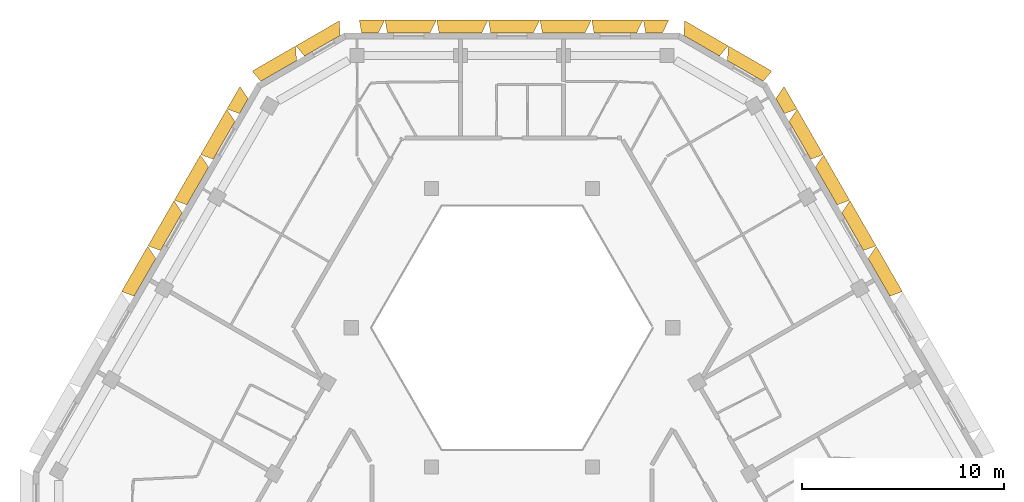
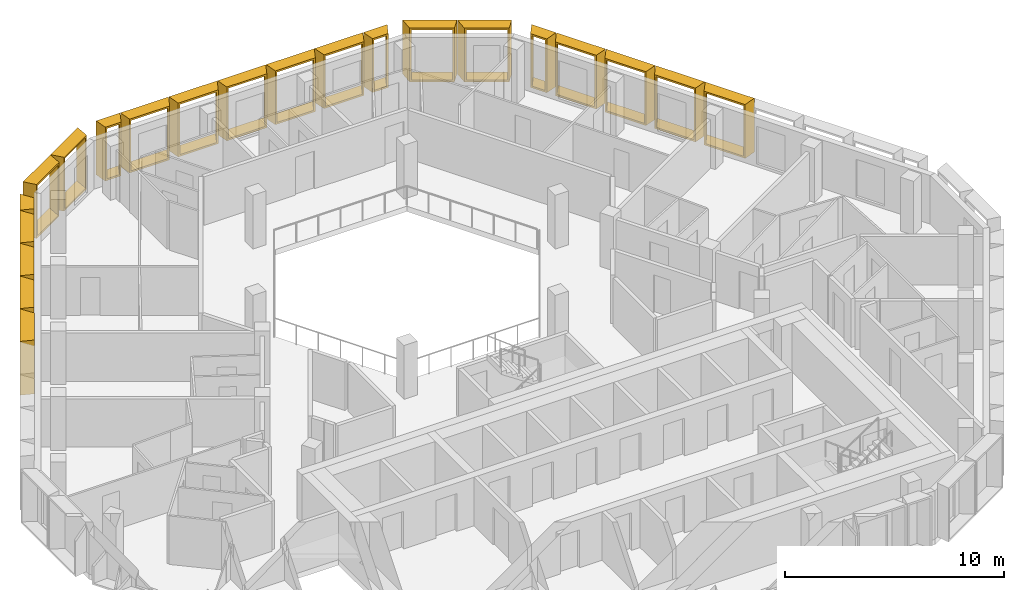
# One storey, part 15 of 15: 21 shading devices.
"""IFC4 building model written with IfcOpenShell, lengths in metres."""

import ifcopenshell
import ifcopenshell.guid

model = None  # the IFC model being written
_history = None  # IfcOwnerHistory: only IFC2X3 demands one
_inside = {}  # id of a spatial element -> (the spatial element, [elements in it])
_under = {}  # id of a project, library or spatial element -> (it, [spatial elements below it])
_declared = {}  # id of a project -> (the project, [libraries it declares])
_typed = {}  # id of a type object -> (the type object, [elements of that type])
_made_of = {}  # id of a material, layer set ... -> (it, [elements and type objects made of it])


def new_model(schema):
    """Start an empty IFC model of exactly this schema.

    Asked for "IFC4X3", IfcOpenShell would pick the latest addendum, in which some entities
    have other attributes; the version numbers below select the first issue.
    IFC2X3 requires an IfcOwnerHistory on every rooted entity: one is made here for all.
    """
    global model, _history
    if schema == "IFC4X3":
        model = ifcopenshell.file(schema_version=(4, 3, 0, 0))
    else:
        model = ifcopenshell.file(schema=schema)
    _inside.clear()
    _under.clear()
    _declared.clear()
    _typed.clear()
    _made_of.clear()
    _history = None
    if model.schema == "IFC2X3":
        org = make("IfcOrganization", Name="unknown")
        user = make(
            "IfcPersonAndOrganization",
            ThePerson=make("IfcPerson", FamilyName="unknown"),
            TheOrganization=org,
        )
        app = make(
            "IfcApplication",
            ApplicationDeveloper=org,
            Version="unknown",
            ApplicationFullName="unknown",
            ApplicationIdentifier="unknown",
        )
        _history = make(
            "IfcOwnerHistory",
            OwningUser=user,
            OwningApplication=app,
            ChangeAction="ADDED",
            CreationDate=0,
        )
    return model


def make(cls, **values):
    """One entity of the class cls with the attributes given. An attribute that is None is left unset."""
    return model.create_entity(
        cls, **{name: value for name, value in values.items() if value is not None}
    )


def entity(cls, *values):
    """Any entity or typed value of the class cls, its attributes in the order of the schema. None: left unset."""
    e = model.create_entity(cls)
    for i, value in enumerate(values):
        if value is not None:
            e[i] = value
    return e


def rooted(cls, **values):
    """An entity with a GlobalId (a new one), such as an element, a storey or a relation."""
    return make(cls, GlobalId=ifcopenshell.guid.new(), OwnerHistory=_history, **values)


def si_unit(unit_type, name, prefix=None):
    """IfcSIUnit, for example si_unit("LENGTHUNIT", "METRE", prefix="MILLI")."""
    return make("IfcSIUnit", UnitType=unit_type, Prefix=prefix, Name=name)


def assignment(units):
    """IfcUnitAssignment: the units of a project."""
    return None if units is None else make("IfcUnitAssignment", Units=units)


def point(xyz):
    """IfcCartesianPoint."""
    return None if xyz is None else make("IfcCartesianPoint", Coordinates=xyz)


def direction(xyz):
    """IfcDirection."""
    return None if xyz is None else make("IfcDirection", DirectionRatios=xyz)


def frame(location, z_axis=None, x_axis=None):
    """IfcAxis2Placement3D, a coordinate frame: its origin and axes. An axis left out is left unset."""
    return make(
        "IfcAxis2Placement3D",
        Location=point(location),
        Axis=direction(z_axis),
        RefDirection=direction(x_axis),
    )


def origin():
    """The frame at (0, 0, 0) with its axes left unset."""
    return frame((0.0, 0.0, 0.0))


def place(relative_to, where):
    """IfcLocalPlacement: puts the frame where relative to a parent placement (None: the world)."""
    return make(
        "IfcLocalPlacement", PlacementRelTo=relative_to, RelativePlacement=where
    )


def context(
    kind, dimensions, precision=None, world=None, true_north=None, identifier=None
):
    """IfcGeometricRepresentationContext, for example the 3D "Model" context."""
    return make(
        "IfcGeometricRepresentationContext",
        ContextIdentifier=identifier,
        ContextType=kind,
        CoordinateSpaceDimension=dimensions,
        Precision=precision,
        WorldCoordinateSystem=world,
        TrueNorth=true_north,
    )


def subcontext(parent, identifier, kind, view, scale=None):
    """IfcGeometricRepresentationSubContext, for example "Body" below "Model"."""
    return make(
        "IfcGeometricRepresentationSubContext",
        ContextIdentifier=identifier,
        ContextType=kind,
        ParentContext=parent,
        TargetScale=scale,
        TargetView=view,
    )


def project(units=None, contexts=None):
    """IfcProject with its units and contexts."""
    return rooted(
        "IfcProject",
        Name="project",
        RepresentationContexts=contexts,
        UnitsInContext=assignment(units),
    )


def spatial(cls, under=None, at=None, **own):
    """A site, building, storey or space (cls), placed at a placement, below another one or the project."""
    s = rooted(cls, ObjectPlacement=at, **own)
    if under is not None:
        _under.setdefault(under.id(), (under, []))[1].append(s)
    return s


def shape(context_of_items, identifier, shape_type, items):
    """IfcShapeRepresentation: the items that make up one representation, for example the "Body"."""
    return make(
        "IfcShapeRepresentation",
        ContextOfItems=context_of_items,
        RepresentationIdentifier=identifier,
        RepresentationType=shape_type,
        Items=items,
    )


def source(mapping_origin, context_of_items, identifier, shape_type, items):
    """IfcRepresentationMap: a shape defined once, which mapped items show again and again."""
    return make(
        "IfcRepresentationMap",
        MappingOrigin=mapping_origin,
        MappedRepresentation=shape(context_of_items, identifier, shape_type, items),
    )


def transform(
    local_origin,
    x_axis=None,
    y_axis=None,
    z_axis=None,
    scale=None,
    scale2=None,
    scale3=None,
    uniform=True,
):
    """IfcCartesianTransformationOperator3D, or its non-uniform kind. x_axis, y_axis, z_axis: its Axis1, 2, 3."""
    if uniform:
        return make(
            "IfcCartesianTransformationOperator3D",
            Axis1=direction(x_axis),
            Axis2=direction(y_axis),
            LocalOrigin=point(local_origin),
            Scale=scale,
            Axis3=direction(z_axis),
        )
    return make(
        "IfcCartesianTransformationOperator3DnonUniform",
        Axis1=direction(x_axis),
        Axis2=direction(y_axis),
        LocalOrigin=point(local_origin),
        Scale=scale,
        Axis3=direction(z_axis),
        Scale2=scale2,
        Scale3=scale3,
    )


def mapped(mapping_source, mapping_target):
    """IfcMappedItem: shows the shape of a source again, moved by a transform."""
    return make(
        "IfcMappedItem", MappingSource=mapping_source, MappingTarget=mapping_target
    )


def material(Name=None, Category=None):
    """IfcMaterial."""
    return make("IfcMaterial", Name=Name, Category=Category)


def made_of(thing, what):
    """Note that an element or type object is made of a material, layer set ...; save() writes the relation."""
    if what is not None:
        _made_of.setdefault(what.id(), (what, []))[1].append(thing)
    return thing


def type_object(cls, material=None, **own):
    """A type object (cls), such as IfcWallType, which elements share."""
    return made_of(rooted(cls, **own), material)


def type_shapes(of_type, sources):
    """Give a type object the sources (RepresentationMaps) that its elements show as mapped items."""
    of_type.RepresentationMaps = sources


def element(
    cls,
    number,
    at=None,
    inside=None,
    cuts=None,
    type_object=None,
    material=None,
    context=None,
    identifier="Body",
    shape_type=None,
    held_by="IfcProductDefinitionShape",
    body=None,
    shapes=None,
    **own,
):
    """One element of the class cls, such as IfcWall. Its Tag is "e" and its number.

    at: its placement. inside: the storey or other place that contains it. cuts: it is an
    opening in that element (IfcRelVoidsElement). A single representation is given by context,
    identifier, shape_type and body (its items); several are given by shapes. held_by: the class
    of the entity that holds the representations. save() writes the other relations.
    """
    e = rooted(cls, Tag="e%d" % number, ObjectPlacement=at, **own)
    if body is not None:
        shapes = [shape(context, identifier, shape_type, body)]
    if shapes is not None:
        e.Representation = make(held_by, Representations=shapes)
    if inside is not None:
        _inside.setdefault(inside.id(), (inside, []))[1].append(e)
    if cuts is not None:
        rooted(
            "IfcRelVoidsElement", RelatingBuildingElement=cuts, RelatedOpeningElement=e
        )
    if type_object is not None:
        _typed.setdefault(type_object.id(), (type_object, []))[1].append(e)
    return made_of(e, material)


def aggregate(whole, parts):
    """IfcRelAggregates: a whole, such as a stair, and the parts it consists of."""
    return rooted("IfcRelAggregates", RelatingObject=whole, RelatedObjects=parts)


def save(model, path):
    """Write the relations noted so far, then the file.

    IfcRelAggregates (storeys below a building ...), IfcRelContainedInSpatialStructure (elements
    in a storey), IfcRelDefinesByType, IfcRelAssociatesMaterial and IfcRelDeclares: one each for
    every whole, place, type object, material and project.
    """
    for whole, parts in _under.values():
        aggregate(whole, parts)
    for where, things in _inside.values():
        rooted(
            "IfcRelContainedInSpatialStructure",
            RelatedElements=things,
            RelatingStructure=where,
        )
    for kind, things in _typed.values():
        rooted("IfcRelDefinesByType", RelatedObjects=things, RelatingType=kind)
    for what, things in _made_of.values():
        rooted("IfcRelAssociatesMaterial", RelatedObjects=things, RelatingMaterial=what)
    for by, libraries in _declared.values():
        rooted("IfcRelDeclares", RelatingContext=by, RelatedDefinitions=libraries)
    model.write(path)


model = new_model("IFC4")

# Units and contexts
model_context = context("Model", 3, precision=1e-05, world=origin(), true_north=direction((0.0, 1.0)))
body_context = subcontext(model_context, "Body", "Model", "MODEL_VIEW")
ifc_project = project(units=[si_unit("LENGTHUNIT", "METRE"), si_unit("AREAUNIT", "SQUARE_METRE"), si_unit("VOLUMEUNIT", "CUBIC_METRE"), si_unit("PLANEANGLEUNIT", "RADIAN"), si_unit("MASSUNIT", "GRAM", prefix="KILO")], contexts=[model_context])

# Site, building, storey
site_placement = place(None, origin())
site = spatial("IfcSite", under=ifc_project, at=site_placement, CompositionType="ELEMENT")
building_placement = place(site_placement, origin())
building = spatial("IfcBuilding", under=site, at=building_placement, Name="Beryl Residences", CompositionType="ELEMENT")
storey_placement = place(building_placement, frame((0.0, 0.0, 217.800048828125)))
storey = spatial("IfcBuildingStorey", under=building, at=storey_placement, Name="L67", CompositionType="ELEMENT", Elevation=217.800048828125)

# Shading devices
ifc_material_1 = material(Name="Aluminium pale anodised", Category="aluminium")
shading_device_type_1 = type_object("IfcShadingDeviceType", Name="FR128-65B OUTER SKIN frame 650 mm deep, splay 26/10 deg, 1280 x 3000 mm cell", PredefinedType="USERDEFINED", material=ifc_material_1)
cartesian_point_1 = entity("IfcCartesianPoint", [-0.4140625, 0.0])
cartesian_point_2 = entity("IfcCartesianPoint", [-0.324951171875, 0.10009765625])
cartesian_point_3 = entity("IfcCartesianPoint", [-0.73095703125, 0.0])
cartesian_point_4 = entity("IfcCartesianPoint", [-0.64208984375, 0.10009765625])
shared_shape_1 = source(origin(), body_context, "Body", "SweptSolid", [
    entity("IfcExtrudedAreaSolidTapered", entity("IfcArbitraryProfileDefWithVoids", "AREA", None, entity("IfcPolyline", [cartesian_point_1, entity("IfcCartesianPoint", [0.4140625, 0.0]), entity("IfcCartesianPoint", [0.4140625, 3.0]), entity("IfcCartesianPoint", [-0.4140625, 3.0]), cartesian_point_1]), [entity("IfcPolyline", [cartesian_point_2, entity("IfcCartesianPoint", [0.332763671875, 0.10009765625]), entity("IfcCartesianPoint", [0.332763671875, 2.89990234375]), entity("IfcCartesianPoint", [-0.324951171875, 2.89990234375]), cartesian_point_2])]), entity("IfcAxis2Placement3D", entity("IfcCartesianPoint", [0.0, 0.0, 0.0]), entity("IfcDirection", [0.0, 1.0, 0.0]), entity("IfcDirection", [-1.0, 0.0, 0.0])), entity("IfcDirection", [0.0, 0.0, 1.0]), 0.64990234375, entity("IfcArbitraryProfileDefWithVoids", "AREA", None, entity("IfcPolyline", [cartesian_point_3, entity("IfcCartesianPoint", [0.528564453125, 0.0]), entity("IfcCartesianPoint", [0.528564453125, 3.0]), entity("IfcCartesianPoint", [-0.73095703125, 3.0]), cartesian_point_3]), [entity("IfcPolyline", [cartesian_point_4, entity("IfcCartesianPoint", [0.447265625, 0.10009765625]), entity("IfcCartesianPoint", [0.447265625, 2.89990234375]), entity("IfcCartesianPoint", [-0.64208984375, 2.89990234375]), cartesian_point_4])])),
])
type_shapes(shading_device_type_1, [shared_shape_1])
for number, where, z_axis, x_axis, name in (
    (1, (7.0390625, 22.60009765625, 0.0), (0.0, 0.0, 1.0), (1.0, 0.0, 0.0), "FR128-65B frame L67 N 1"),
    (2, (-7.0380859375, 22.60009765625, 0.0), (0.0, 0.0, 1.0), (1.0, 0.0, 0.0), "FR128-65B frame L67 N 7"),
):
    element("IfcShadingDevice", number, at=place(storey_placement, frame(where, z_axis=z_axis, x_axis=x_axis)), inside=storey, type_object=shading_device_type_1, Name=name, ObjectType="OUTER SKIN", PredefinedType="USERDEFINED", context=body_context, shape_type="MappedRepresentation", body=[
        mapped(shared_shape_1, transform((0.0, 0.0, 0.0))),
    ])
ifc_material_2 = material(Name="Aluminium pale anodised", Category="aluminium")
shading_device_type_2 = type_object("IfcShadingDeviceType", Name="FR131-65B OUTER SKIN frame 650 mm deep, splay 26/10 deg, 1310 x 3000 mm cell", PredefinedType="USERDEFINED", material=ifc_material_2)
cartesian_point_5 = entity("IfcCartesianPoint", [-0.428955078125, 0.0])
cartesian_point_6 = entity("IfcCartesianPoint", [-0.340087890625, 0.10009765625])
cartesian_point_7 = entity("IfcCartesianPoint", [-0.74609375, 0.0])
cartesian_point_8 = entity("IfcCartesianPoint", [-0.656982421875, 0.10009765625])
shared_shape_2 = source(origin(), body_context, "Body", "SweptSolid", [
    entity("IfcExtrudedAreaSolidTapered", entity("IfcArbitraryProfileDefWithVoids", "AREA", None, entity("IfcPolyline", [cartesian_point_5, entity("IfcCartesianPoint", [0.428955078125, 0.0]), entity("IfcCartesianPoint", [0.428955078125, 3.0]), entity("IfcCartesianPoint", [-0.428955078125, 3.0]), cartesian_point_5]), [entity("IfcPolyline", [cartesian_point_6, entity("IfcCartesianPoint", [0.34765625, 0.10009765625]), entity("IfcCartesianPoint", [0.34765625, 2.89990234375]), entity("IfcCartesianPoint", [-0.340087890625, 2.89990234375]), cartesian_point_6])]), entity("IfcAxis2Placement3D", entity("IfcCartesianPoint", [0.0, 0.0, 0.0]), entity("IfcDirection", [0.0, 1.0, 0.0]), entity("IfcDirection", [-1.0, 0.0, 0.0])), entity("IfcDirection", [0.0, 0.0, 1.0]), 0.64990234375, entity("IfcArbitraryProfileDefWithVoids", "AREA", None, entity("IfcPolyline", [cartesian_point_7, entity("IfcCartesianPoint", [0.543701171875, 0.0]), entity("IfcCartesianPoint", [0.543701171875, 3.0]), entity("IfcCartesianPoint", [-0.74609375, 3.0]), cartesian_point_7]), [entity("IfcPolyline", [cartesian_point_8, entity("IfcCartesianPoint", [0.46240234375, 0.10009765625]), entity("IfcCartesianPoint", [0.46240234375, 2.89990234375]), entity("IfcCartesianPoint", [-0.656982421875, 2.89990234375]), cartesian_point_8])])),
])
type_shapes(shading_device_type_2, [shared_shape_2])
shading_device_1_placement = place(storey_placement, frame((-13.2880859375, 18.98388671875, 0.0), z_axis=(0.0, 0.0, 1.0), x_axis=(0.5, 0.866025403784, 0.0)))
element("IfcShadingDevice", 3, at=shading_device_1_placement, inside=storey, type_object=shading_device_type_2, Name="FR131-65B frame L67 NW 1", ObjectType="OUTER SKIN", PredefinedType="USERDEFINED", context=body_context, shape_type="MappedRepresentation", body=[
    mapped(shared_shape_2, transform((0.0, 0.0, 0.0))),
])
ifc_material_3 = material(Name="Aluminium pale anodised", Category="aluminium")
shading_device_type_3 = type_object("IfcShadingDeviceType", Name="FR131-65C OUTER SKIN frame 650 mm deep, splay 10/26 deg, 1310 x 3000 mm cell", PredefinedType="USERDEFINED", material=ifc_material_3)
cartesian_point_9 = entity("IfcCartesianPoint", [-0.428955078125, 0.0])
cartesian_point_10 = entity("IfcCartesianPoint", [-0.34765625, 0.10009765625])
cartesian_point_11 = entity("IfcCartesianPoint", [-0.543701171875, 0.0])
cartesian_point_12 = entity("IfcCartesianPoint", [-0.46240234375, 0.10009765625])
shared_shape_3 = source(origin(), body_context, "Body", "SweptSolid", [
    entity("IfcExtrudedAreaSolidTapered", entity("IfcArbitraryProfileDefWithVoids", "AREA", None, entity("IfcPolyline", [cartesian_point_9, entity("IfcCartesianPoint", [0.428955078125, 0.0]), entity("IfcCartesianPoint", [0.428955078125, 3.0]), entity("IfcCartesianPoint", [-0.428955078125, 3.0]), cartesian_point_9]), [entity("IfcPolyline", [cartesian_point_10, entity("IfcCartesianPoint", [0.340087890625, 0.10009765625]), entity("IfcCartesianPoint", [0.340087890625, 2.89990234375]), entity("IfcCartesianPoint", [-0.34765625, 2.89990234375]), cartesian_point_10])]), entity("IfcAxis2Placement3D", entity("IfcCartesianPoint", [0.0, 0.0, 0.0]), entity("IfcDirection", [0.0, 1.0, 0.0]), entity("IfcDirection", [-1.0, 0.0, 0.0])), entity("IfcDirection", [0.0, 0.0, 1.0]), 0.64990234375, entity("IfcArbitraryProfileDefWithVoids", "AREA", None, entity("IfcPolyline", [cartesian_point_11, entity("IfcCartesianPoint", [0.74609375, 0.0]), entity("IfcCartesianPoint", [0.74609375, 3.0]), entity("IfcCartesianPoint", [-0.543701171875, 3.0]), cartesian_point_11]), [entity("IfcPolyline", [cartesian_point_12, entity("IfcCartesianPoint", [0.656982421875, 0.10009765625]), entity("IfcCartesianPoint", [0.656982421875, 2.89990234375]), entity("IfcCartesianPoint", [-0.46240234375, 2.89990234375]), cartesian_point_12])])),
])
type_shapes(shading_device_type_3, [shared_shape_3])
shading_device_2_placement = place(storey_placement, frame((13.2880859375, 18.98388671875, 0.0), z_axis=(0.0, 0.0, 1.0), x_axis=(0.5, -0.866025403784, 0.0)))
element("IfcShadingDevice", 4, at=shading_device_2_placement, inside=storey, type_object=shading_device_type_3, Name="FR131-65C frame L67 NE 9", ObjectType="OUTER SKIN", PredefinedType="USERDEFINED", context=body_context, shape_type="MappedRepresentation", body=[
    mapped(shared_shape_3, transform((0.0, 0.0, 0.0))),
])
ifc_material_4 = material(Name="Aluminium pale anodised", Category="aluminium")
shading_device_type_4 = type_object("IfcShadingDeviceType", Name="FR250-65B OUTER SKIN frame 650 mm deep, splay 26/10 deg, 2500 x 3000 mm cell", PredefinedType="USERDEFINED", material=ifc_material_4)
cartesian_point_13 = entity("IfcCartesianPoint", [-1.02392578125, 0.0])
cartesian_point_14 = entity("IfcCartesianPoint", [-0.93505859375, 0.10009765625])
cartesian_point_15 = entity("IfcCartesianPoint", [-1.341064453125, 0.0])
cartesian_point_16 = entity("IfcCartesianPoint", [-1.251953125, 0.10009765625])
shared_shape_4 = source(origin(), body_context, "Body", "SweptSolid", [
    entity("IfcExtrudedAreaSolidTapered", entity("IfcArbitraryProfileDefWithVoids", "AREA", None, entity("IfcPolyline", [cartesian_point_13, entity("IfcCartesianPoint", [1.02392578125, 0.0]), entity("IfcCartesianPoint", [1.02392578125, 3.0]), entity("IfcCartesianPoint", [-1.02392578125, 3.0]), cartesian_point_13]), [entity("IfcPolyline", [cartesian_point_14, entity("IfcCartesianPoint", [0.94287109375, 0.10009765625]), entity("IfcCartesianPoint", [0.94287109375, 2.89990234375]), entity("IfcCartesianPoint", [-0.93505859375, 2.89990234375]), cartesian_point_14])]), entity("IfcAxis2Placement3D", entity("IfcCartesianPoint", [0.0, 0.0, 0.0]), entity("IfcDirection", [0.0, 1.0, 0.0]), entity("IfcDirection", [-1.0, 0.0, 0.0])), entity("IfcDirection", [0.0, 0.0, 1.0]), 0.64990234375, entity("IfcArbitraryProfileDefWithVoids", "AREA", None, entity("IfcPolyline", [cartesian_point_15, entity("IfcCartesianPoint", [1.138671875, 0.0]), entity("IfcCartesianPoint", [1.138671875, 3.0]), entity("IfcCartesianPoint", [-1.341064453125, 3.0]), cartesian_point_15]), [entity("IfcPolyline", [cartesian_point_16, entity("IfcCartesianPoint", [1.057373046875, 0.10009765625]), entity("IfcCartesianPoint", [1.057373046875, 2.89990234375]), entity("IfcCartesianPoint", [-1.251953125, 2.89990234375]), cartesian_point_16])])),
])
type_shapes(shading_device_type_4, [shared_shape_4])
for number, where, z_axis, x_axis, name in (
    (5, (-9.39599609375, 21.97509765625, 0.0), (0.0, 0.0, 1.0), (0.866025403784, 0.5, 0.0), "FR250-65B frame L67 N-NW 1"),
    (6, (-11.56103515625, 20.72509765625, 0.0), (0.0, 0.0, 1.0), (0.866025403784, 0.5, 0.0), "FR250-65B frame L67 N-NW 2"),
):
    element("IfcShadingDevice", number, at=place(storey_placement, frame(where, z_axis=z_axis, x_axis=x_axis)), inside=storey, type_object=shading_device_type_4, Name=name, ObjectType="OUTER SKIN", PredefinedType="USERDEFINED", context=body_context, shape_type="MappedRepresentation", body=[
        mapped(shared_shape_4, transform((0.0, 0.0, 0.0))),
    ])
ifc_material_5 = material(Name="Aluminium pale anodised", Category="aluminium")
shading_device_type_5 = type_object("IfcShadingDeviceType", Name="FR250-65C OUTER SKIN frame 650 mm deep, splay 10/26 deg, 2500 x 3000 mm cell", PredefinedType="USERDEFINED", material=ifc_material_5)
cartesian_point_17 = entity("IfcCartesianPoint", [-1.02392578125, 0.0])
cartesian_point_18 = entity("IfcCartesianPoint", [-0.94287109375, 0.10009765625])
cartesian_point_19 = entity("IfcCartesianPoint", [-1.138671875, 0.0])
cartesian_point_20 = entity("IfcCartesianPoint", [-1.057373046875, 0.10009765625])
shared_shape_5 = source(origin(), body_context, "Body", "SweptSolid", [
    entity("IfcExtrudedAreaSolidTapered", entity("IfcArbitraryProfileDefWithVoids", "AREA", None, entity("IfcPolyline", [cartesian_point_17, entity("IfcCartesianPoint", [1.02392578125, 0.0]), entity("IfcCartesianPoint", [1.02392578125, 3.0]), entity("IfcCartesianPoint", [-1.02392578125, 3.0]), cartesian_point_17]), [entity("IfcPolyline", [cartesian_point_18, entity("IfcCartesianPoint", [0.93505859375, 0.10009765625]), entity("IfcCartesianPoint", [0.93505859375, 2.89990234375]), entity("IfcCartesianPoint", [-0.94287109375, 2.89990234375]), cartesian_point_18])]), entity("IfcAxis2Placement3D", entity("IfcCartesianPoint", [0.0, 0.0, 0.0]), entity("IfcDirection", [0.0, 1.0, 0.0]), entity("IfcDirection", [-1.0, 0.0, 0.0])), entity("IfcDirection", [0.0, 0.0, 1.0]), 0.64990234375, entity("IfcArbitraryProfileDefWithVoids", "AREA", None, entity("IfcPolyline", [cartesian_point_19, entity("IfcCartesianPoint", [1.341064453125, 0.0]), entity("IfcCartesianPoint", [1.341064453125, 3.0]), entity("IfcCartesianPoint", [-1.138671875, 3.0]), cartesian_point_19]), [entity("IfcPolyline", [cartesian_point_20, entity("IfcCartesianPoint", [1.251953125, 0.10009765625]), entity("IfcCartesianPoint", [1.251953125, 2.89990234375]), entity("IfcCartesianPoint", [-1.057373046875, 2.89990234375]), cartesian_point_20])])),
])
type_shapes(shading_device_type_5, [shared_shape_5])
for number, where, z_axis, x_axis, name in (
    (7, (11.56103515625, 20.72509765625, 0.0), (0.0, 0.0, 1.0), (0.866025403784, -0.5, 0.0), "FR250-65C frame L67 NE-N 1"),
    (8, (9.39599609375, 21.97509765625, 0.0), (0.0, 0.0, 1.0), (0.866025403784, -0.5, 0.0), "FR250-65C frame L67 NE-N 2"),
):
    element("IfcShadingDevice", number, at=place(storey_placement, frame(where, z_axis=z_axis, x_axis=x_axis)), inside=storey, type_object=shading_device_type_5, Name=name, ObjectType="OUTER SKIN", PredefinedType="USERDEFINED", context=body_context, shape_type="MappedRepresentation", body=[
        mapped(shared_shape_5, transform((0.0, 0.0, 0.0))),
    ])
ifc_material_6 = material(Name="Aluminium pale anodised", Category="aluminium")
shading_device_type_6 = type_object("IfcShadingDeviceType", Name="FR256-65B OUTER SKIN frame 650 mm deep, splay 26/10 deg, 2560 x 3000 mm cell", PredefinedType="USERDEFINED", material=ifc_material_6)
cartesian_point_21 = entity("IfcCartesianPoint", [-1.053955078125, 0.0])
cartesian_point_22 = entity("IfcCartesianPoint", [-0.965087890625, 0.10009765625])
cartesian_point_23 = entity("IfcCartesianPoint", [-1.37109375, 0.0])
cartesian_point_24 = entity("IfcCartesianPoint", [-1.281982421875, 0.10009765625])
shared_shape_6 = source(origin(), body_context, "Body", "SweptSolid", [
    entity("IfcExtrudedAreaSolidTapered", entity("IfcArbitraryProfileDefWithVoids", "AREA", None, entity("IfcPolyline", [cartesian_point_21, entity("IfcCartesianPoint", [1.053955078125, 0.0]), entity("IfcCartesianPoint", [1.053955078125, 3.0]), entity("IfcCartesianPoint", [-1.053955078125, 3.0]), cartesian_point_21]), [entity("IfcPolyline", [cartesian_point_22, entity("IfcCartesianPoint", [0.97265625, 0.10009765625]), entity("IfcCartesianPoint", [0.97265625, 2.89990234375]), entity("IfcCartesianPoint", [-0.965087890625, 2.89990234375]), cartesian_point_22])]), entity("IfcAxis2Placement3D", entity("IfcCartesianPoint", [0.0, 0.0, 0.0]), entity("IfcDirection", [0.0, 1.0, 0.0]), entity("IfcDirection", [-1.0, 0.0, 0.0])), entity("IfcDirection", [0.0, 0.0, 1.0]), 0.64990234375, entity("IfcArbitraryProfileDefWithVoids", "AREA", None, entity("IfcPolyline", [cartesian_point_23, entity("IfcCartesianPoint", [1.168701171875, 0.0]), entity("IfcCartesianPoint", [1.168701171875, 3.0]), entity("IfcCartesianPoint", [-1.37109375, 3.0]), cartesian_point_23]), [entity("IfcPolyline", [cartesian_point_24, entity("IfcCartesianPoint", [1.08740234375, 0.10009765625]), entity("IfcCartesianPoint", [1.08740234375, 2.89990234375]), entity("IfcCartesianPoint", [-1.281982421875, 2.89990234375]), cartesian_point_24])])),
])
type_shapes(shading_device_type_6, [shared_shape_6])
for number, where, z_axis, x_axis, name in (
    (9, (5.1201171875, 22.60009765625, 0.0), (0.0, 0.0, 1.0), (1.0, 0.0, 0.0), "FR256-65B frame L67 N 2"),
    (10, (2.56005859375, 22.60009765625, 0.0), (0.0, 0.0, 1.0), (1.0, 0.0, 0.0), "FR256-65B frame L67 N 3"),
    (11, (0.0, 22.60009765625, 0.0), (0.0, 0.0, 1.0), (1.0, 0.0, 0.0), "FR256-65B frame L67 N 4"),
    (12, (-2.55908203125, 22.60009765625, 0.0), (0.0, 0.0, 1.0), (1.0, 0.0, 0.0), "FR256-65B frame L67 N 5"),
    (13, (-5.118896484375, 22.60009765625, 0.0), (0.0, 0.0, 1.0), (1.0, 0.0, 0.0), "FR256-65B frame L67 N 6"),
):
    element("IfcShadingDevice", number, at=place(storey_placement, frame(where, z_axis=z_axis, x_axis=x_axis)), inside=storey, type_object=shading_device_type_6, Name=name, ObjectType="OUTER SKIN", PredefinedType="USERDEFINED", context=body_context, shape_type="MappedRepresentation", body=[
        mapped(shared_shape_6, transform((0.0, 0.0, 0.0))),
    ])
ifc_material_7 = material(Name="Aluminium pale anodised", Category="aluminium")
shading_device_type_7 = type_object("IfcShadingDeviceType", Name="FR261-65B OUTER SKIN frame 650 mm deep, splay 26/10 deg, 2610 x 3000 mm cell", PredefinedType="USERDEFINED", material=ifc_material_7)
cartesian_point_25 = entity("IfcCartesianPoint", [-1.0791015625, 0.0])
cartesian_point_26 = entity("IfcCartesianPoint", [-0.989990234375, 0.10009765625])
cartesian_point_27 = entity("IfcCartesianPoint", [-1.39599609375, 0.0])
cartesian_point_28 = entity("IfcCartesianPoint", [-1.30712890625, 0.10009765625])
shared_shape_7 = source(origin(), body_context, "Body", "SweptSolid", [
    entity("IfcExtrudedAreaSolidTapered", entity("IfcArbitraryProfileDefWithVoids", "AREA", None, entity("IfcPolyline", [cartesian_point_25, entity("IfcCartesianPoint", [1.0791015625, 0.0]), entity("IfcCartesianPoint", [1.0791015625, 3.0]), entity("IfcCartesianPoint", [-1.0791015625, 3.0]), cartesian_point_25]), [entity("IfcPolyline", [cartesian_point_26, entity("IfcCartesianPoint", [0.997802734375, 0.10009765625]), entity("IfcCartesianPoint", [0.997802734375, 2.89990234375]), entity("IfcCartesianPoint", [-0.989990234375, 2.89990234375]), cartesian_point_26])]), entity("IfcAxis2Placement3D", entity("IfcCartesianPoint", [0.0, 0.0, 0.0]), entity("IfcDirection", [0.0, 1.0, 0.0]), entity("IfcDirection", [-1.0, 0.0, 0.0])), entity("IfcDirection", [0.0, 0.0, 1.0]), 0.64990234375, entity("IfcArbitraryProfileDefWithVoids", "AREA", None, entity("IfcPolyline", [cartesian_point_27, entity("IfcCartesianPoint", [1.193603515625, 0.0]), entity("IfcCartesianPoint", [1.193603515625, 3.0]), entity("IfcCartesianPoint", [-1.39599609375, 3.0]), cartesian_point_27]), [entity("IfcPolyline", [cartesian_point_28, entity("IfcCartesianPoint", [1.1123046875, 0.10009765625]), entity("IfcCartesianPoint", [1.1123046875, 2.89990234375]), entity("IfcCartesianPoint", [-1.30712890625, 2.89990234375]), cartesian_point_28])])),
])
type_shapes(shading_device_type_7, [shared_shape_7])
for number, where, z_axis, x_axis, name in (
    (14, (-14.26708984375, 17.2880859375, 0.0), (0.0, 0.0, 1.0), (0.5, 0.866025403784, 0.0), "FR261-65B frame L67 NW 2"),
    (15, (-15.573974609375, 15.02490234375, 0.0), (0.0, 0.0, 1.0), (0.5, 0.866025403784, 0.0), "FR261-65B frame L67 NW 3"),
    (16, (-16.8798828125, 12.762939453125, 0.0), (0.0, 0.0, 1.0), (0.5, 0.866025403784, 0.0), "FR261-65B frame L67 NW 4"),
    (17, (-18.18603515625, 10.5, 0.0), (0.0, 0.0, 1.0), (0.5, 0.866025403784, 0.0), "FR261-65B frame L67 NW 5"),
):
    element("IfcShadingDevice", number, at=place(storey_placement, frame(where, z_axis=z_axis, x_axis=x_axis)), inside=storey, type_object=shading_device_type_7, Name=name, ObjectType="OUTER SKIN", PredefinedType="USERDEFINED", context=body_context, shape_type="MappedRepresentation", body=[
        mapped(shared_shape_7, transform((0.0, 0.0, 0.0))),
    ])
ifc_material_8 = material(Name="Aluminium pale anodised", Category="aluminium")
shading_device_type_8 = type_object("IfcShadingDeviceType", Name="FR261-65C OUTER SKIN frame 650 mm deep, splay 10/26 deg, 2610 x 3000 mm cell", PredefinedType="USERDEFINED", material=ifc_material_8)
cartesian_point_29 = entity("IfcCartesianPoint", [-1.0791015625, 0.0])
cartesian_point_30 = entity("IfcCartesianPoint", [-0.997802734375, 0.10009765625])
cartesian_point_31 = entity("IfcCartesianPoint", [-1.193603515625, 0.0])
cartesian_point_32 = entity("IfcCartesianPoint", [-1.1123046875, 0.10009765625])
shared_shape_8 = source(origin(), body_context, "Body", "SweptSolid", [
    entity("IfcExtrudedAreaSolidTapered", entity("IfcArbitraryProfileDefWithVoids", "AREA", None, entity("IfcPolyline", [cartesian_point_29, entity("IfcCartesianPoint", [1.0791015625, 0.0]), entity("IfcCartesianPoint", [1.0791015625, 3.0]), entity("IfcCartesianPoint", [-1.0791015625, 3.0]), cartesian_point_29]), [entity("IfcPolyline", [cartesian_point_30, entity("IfcCartesianPoint", [0.989990234375, 0.10009765625]), entity("IfcCartesianPoint", [0.989990234375, 2.89990234375]), entity("IfcCartesianPoint", [-0.997802734375, 2.89990234375]), cartesian_point_30])]), entity("IfcAxis2Placement3D", entity("IfcCartesianPoint", [0.0, 0.0, 0.0]), entity("IfcDirection", [0.0, 1.0, 0.0]), entity("IfcDirection", [-1.0, 0.0, 0.0])), entity("IfcDirection", [0.0, 0.0, 1.0]), 0.64990234375, entity("IfcArbitraryProfileDefWithVoids", "AREA", None, entity("IfcPolyline", [cartesian_point_31, entity("IfcCartesianPoint", [1.39599609375, 0.0]), entity("IfcCartesianPoint", [1.39599609375, 3.0]), entity("IfcCartesianPoint", [-1.193603515625, 3.0]), cartesian_point_31]), [entity("IfcPolyline", [cartesian_point_32, entity("IfcCartesianPoint", [1.30712890625, 0.10009765625]), entity("IfcCartesianPoint", [1.30712890625, 2.89990234375]), entity("IfcCartesianPoint", [-1.1123046875, 2.89990234375]), cartesian_point_32])])),
])
type_shapes(shading_device_type_8, [shared_shape_8])
for number, where, z_axis, x_axis, name in (
    (18, (18.18603515625, 10.5, 0.0), (0.0, 0.0, 1.0), (0.5, -0.866025403784, 0.0), "FR261-65C frame L67 NE 5"),
    (19, (16.8798828125, 12.762939453125, 0.0), (0.0, 0.0, 1.0), (0.5, -0.866025403784, 0.0), "FR261-65C frame L67 NE 6"),
    (20, (15.573974609375, 15.02490234375, 0.0), (0.0, 0.0, 1.0), (0.5, -0.866025403784, 0.0), "FR261-65C frame L67 NE 7"),
    (21, (14.26708984375, 17.2880859375, 0.0), (0.0, 0.0, 1.0), (0.5, -0.866025403784, 0.0), "FR261-65C frame L67 NE 8"),
):
    element("IfcShadingDevice", number, at=place(storey_placement, frame(where, z_axis=z_axis, x_axis=x_axis)), inside=storey, type_object=shading_device_type_8, Name=name, ObjectType="OUTER SKIN", PredefinedType="USERDEFINED", context=body_context, shape_type="MappedRepresentation", body=[
        mapped(shared_shape_8, transform((0.0, 0.0, 0.0))),
    ])

save(model, "model.ifc")
